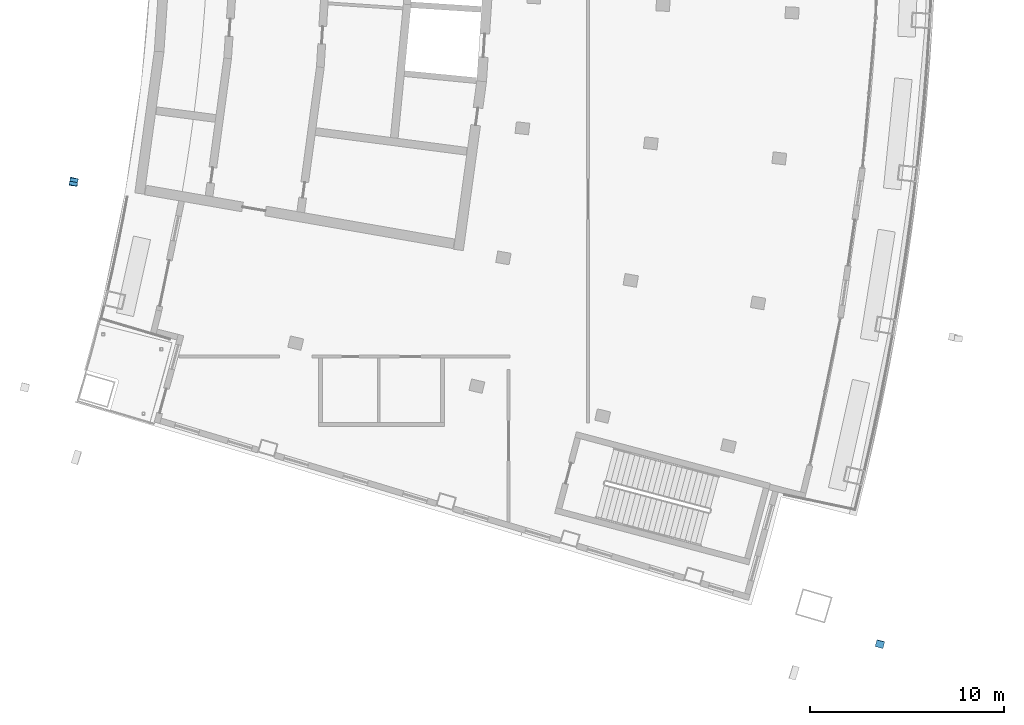
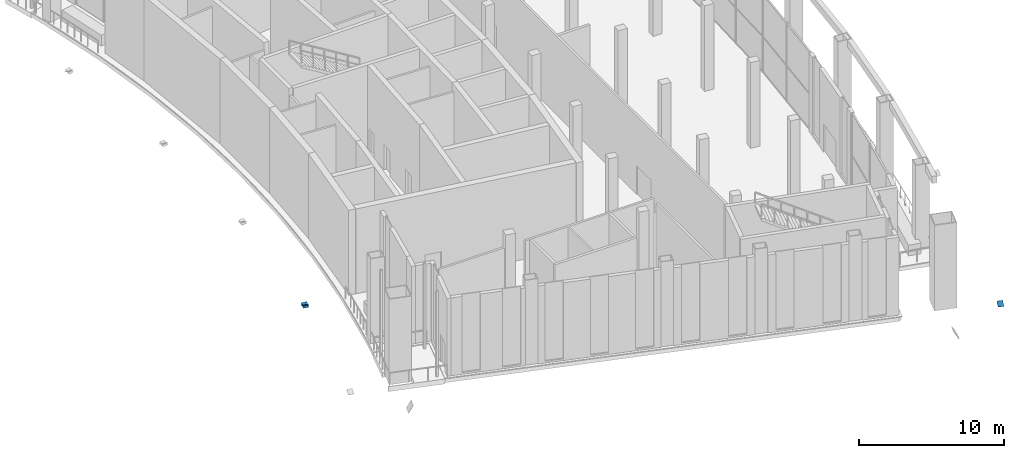
# One storey, part 18 of 25: 3 discrete accessories.
"""IFC4 building model written with IfcOpenShell, lengths in metres."""

from ifc_helpers import new_model, si_unit, direction, frame, origin, origin_2d, place, context, subcontext, project, spatial, rectangle, extrude, material, material_profile, profile_set, type_object, element, save


model = new_model("IFC4")

# Units and contexts
model_context = context("Model", 3, precision=1e-05, world=origin(), true_north=direction((0.0, 1.0)))
body_context = subcontext(model_context, "Body", "Model", "MODEL_VIEW")
ifc_project = project(units=[si_unit("LENGTHUNIT", "METRE"), si_unit("AREAUNIT", "SQUARE_METRE"), si_unit("VOLUMEUNIT", "CUBIC_METRE"), si_unit("PLANEANGLEUNIT", "RADIAN"), si_unit("MASSUNIT", "GRAM", prefix="KILO")], contexts=[model_context])

# Site, building, storey
site_placement = place(None, origin())
site = spatial("IfcSite", under=ifc_project, at=site_placement, CompositionType="ELEMENT")
building_placement = place(site_placement, origin())
building = spatial("IfcBuilding", under=site, at=building_placement, Name="Alderwake Tower", CompositionType="ELEMENT")
storey_placement = place(building_placement, frame((0.0, 0.0, 288.800048828125)))
storey = spatial("IfcBuildingStorey", under=building, at=storey_placement, Name="L72", CompositionType="ELEMENT", Elevation=288.800048828125)

# Discrete accessories
ifc_material = material(Name="Steel ASTM A572 Grade 50", Category="steel")
ifc_material_profile = material_profile(ifc_material, rectangle(XDim=0.41552734375, YDim=0.445556640625, at=origin_2d()), Name="W14X342 cap")
ifc_profile_set = profile_set([ifc_material_profile], Name="Steel ASTM A572 Grade 50")
discrete_accessory_type = type_object("IfcDiscreteAccessoryType", Name="End cap plate W14X342", PredefinedType="USERDEFINED", material=ifc_profile_set)
for number, where, z_axis, x_axis, name in (
    (1, (53.447509765625, 20.935302734375, 0.0), (-0.154369542892, -0.584979320433, 0.796221852811), (0.966900358349, -0.255154261231, 0.0), "End cap BRF5.2.2B2 N"),
    (2, (11.875, 44.755615234375, 0.0), (0.105495990526, 0.438214114494, 0.892658381376), (-0.972223637158, 0.234053838575, 0.0), "End cap BRR5.2.2A N"),
    (3, (11.875, 44.755615234375, 0.0), (-0.056826119483, -0.446490938798, 0.892981877596), (0.991997911724, -0.126254279674, 0.0), "End cap BRR5.2.4B2 N"),
):
    element("IfcDiscreteAccessory", number, at=place(storey_placement, frame(where, z_axis=z_axis, x_axis=x_axis)), inside=storey, type_object=discrete_accessory_type, Name=name, ObjectType="END CAP", PredefinedType="USERDEFINED", context=body_context, shape_type="SweptSolid", body=[
        extrude(rectangle(XDim=0.41552734375, YDim=0.445556640625, at=origin_2d()), origin(), (0.0, 0.0, 1.0), 0.030029296875),
    ])

save(model, "model.ifc")
